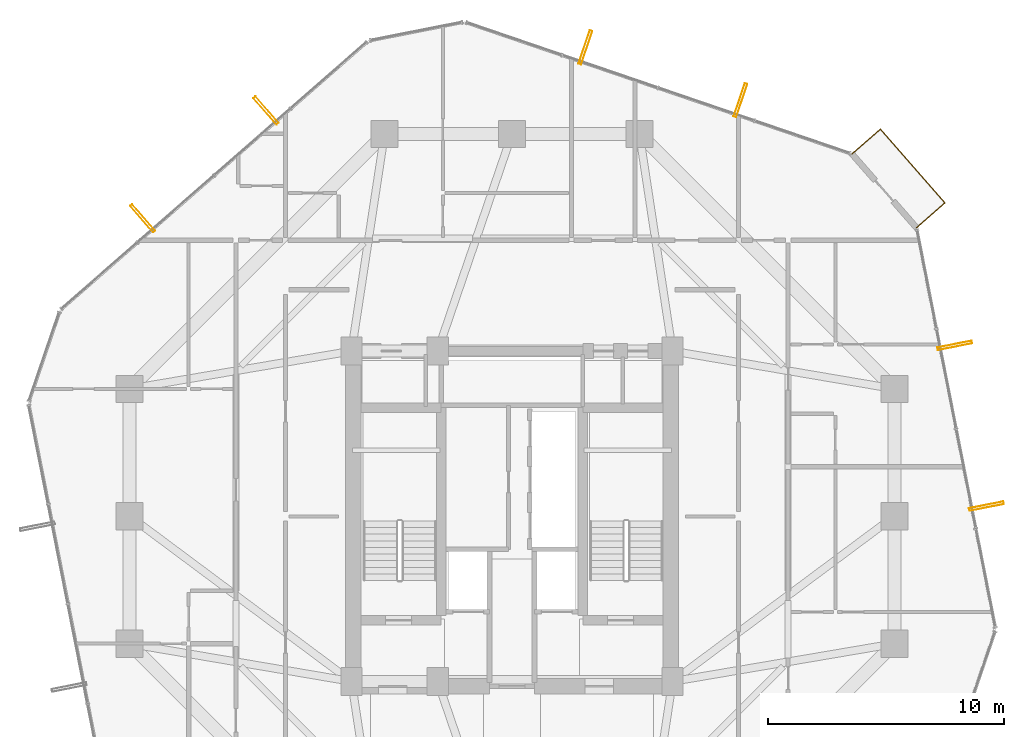
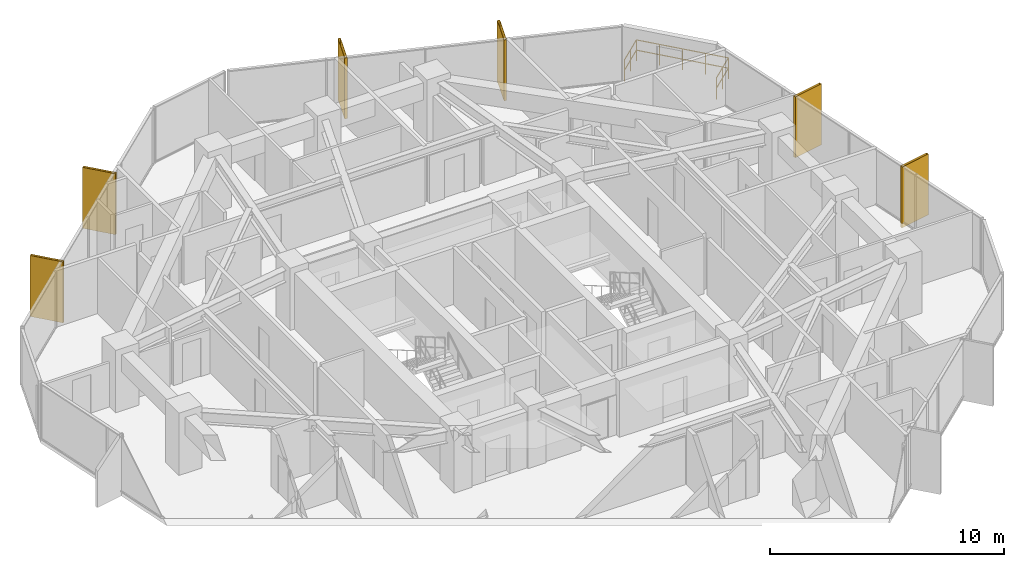
# One storey, part 36 of 36: 6 shading devices, 1 railing.
"""IFC4 building model written with IfcOpenShell, lengths in metres."""

from ifc_helpers import new_model, si_unit, direction, frame, origin, origin_2d, place, context, subcontext, project, spatial, hollow_rectangle, circle, extrude, material, material_profile, profile_set, type_object, element, save


model = new_model("IFC4")

# Units and contexts
model_context = context("Model", 3, precision=1e-05, world=origin(), true_north=direction((0.0, 1.0)))
body_context = subcontext(model_context, "Body", "Model", "MODEL_VIEW")
ifc_project = project(units=[si_unit("LENGTHUNIT", "METRE"), si_unit("AREAUNIT", "SQUARE_METRE"), si_unit("VOLUMEUNIT", "CUBIC_METRE"), si_unit("PLANEANGLEUNIT", "RADIAN"), si_unit("MASSUNIT", "GRAM", prefix="KILO")], contexts=[model_context])

# Site, building, storey
site_placement = place(None, origin())
site = spatial("IfcSite", under=ifc_project, at=site_placement, CompositionType="ELEMENT")
building_placement = place(site_placement, origin())
building = spatial("IfcBuilding", under=site, at=building_placement, Name="Veraguas Prism Commons", CompositionType="ELEMENT")
storey_placement = place(building_placement, frame((0.0, 0.0, 166.300048828125)))
storey = spatial("IfcBuildingStorey", under=building, at=storey_placement, Name="L47", CompositionType="ELEMENT", Elevation=166.300048828125)

# Shading devices
ifc_material_1 = material(Name="Anodised aluminium EN AW-6063 T6", Category="aluminium")
ifc_material_profile = material_profile(ifc_material_1, hollow_rectangle(XDim=0.1201171875, YDim=1.489990234375, WallThickness=0.006103515625, at=origin_2d()), Name="FIN120X1490X6")
ifc_profile_set = profile_set([ifc_material_profile], Name="Anodised aluminium EN AW-6063 T6")
shading_device_type = type_object("IfcShadingDeviceType", Name="Deep Pale-Metal Vertical Solar Fin 120x1490", PredefinedType="USERDEFINED", material=ifc_profile_set)
for number, where, z_axis, x_axis, name in (
    (1, (33.68115234375, 41.62548828125, -0.22998046875), (0.0, 0.0, 1.0), (-0.946424045543, 0.322926502501, 0.0), "Vertical Pale-Metal Solar Fin L47-F1A"),
    (2, (27.111328125, 43.8671875, -0.22998046875), (0.0, 0.0, 1.0), (-0.946424045543, 0.322926502501, 0.0), "Vertical Pale-Metal Solar Fin L47-F1B"),
    (3, (13.57666015625, 41.197021484375, -0.22998046875), (0.0, 0.0, 1.0), (-0.752873428778, -0.658165328956, 0.0), "Vertical Pale-Metal Solar Fin L47-F2A"),
    (4, (8.350341796875, 36.628173828125, -0.22998046875), (0.0, 0.0, 1.0), (-0.752873428778, -0.658165328956, 0.0), "Vertical Pale-Metal Solar Fin L47-F2B"),
    (5, (44.104736328125, 24.428466796875, -0.22998046875), (0.0, 0.0, 1.0), (-0.193546043398, 0.981091193052, 0.0), "Vertical Pale-Metal Solar Fin L47-F6A"),
    (6, (42.76123046875, 31.239013671875, -0.22998046875), (0.0, 0.0, 1.0), (-0.193546043398, 0.981091193052, 0.0), "Vertical Pale-Metal Solar Fin L47-F6B"),
):
    element("IfcShadingDevice", number, at=place(storey_placement, frame(where, z_axis=z_axis, x_axis=x_axis)), inside=storey, type_object=shading_device_type, Name=name, ObjectType="FIN", PredefinedType="USERDEFINED", context=body_context, shape_type="SweptSolid", body=[
        extrude(hollow_rectangle(XDim=0.1201171875, YDim=1.489990234375, WallThickness=0.006103515625, at=origin_2d()), origin(), (0.0, 0.0, 1.0), 3.179931640625),
    ])

# Railing
ifc_material_2 = material(Name="Stainless steel AISI 316", Category="steel")
railing_type = type_object("IfcRailingType", Name="Loggia and Sky Pool Glazed Balustrade 1120", PredefinedType="BALUSTRADE", material=ifc_material_2)
railing_placement = place(storey_placement, frame((41.140380859375, 36.225830078125, 0.0)))
element("IfcRailing", 7, at=railing_placement, inside=storey, type_object=railing_type, Name="Recessed Corner Loggia L47-C1 Guard", PredefinedType="BALUSTRADE", context=body_context, shape_type="SweptSolid", body=[
    extrude(circle(Radius=0.02392578125, at=origin_2d()), frame((0.0, 0.0, 1.09619140625), z_axis=(0.752822388227, 0.658223709528, 0.0), x_axis=(-0.658223709528, 0.752822388227, 0.0)), (0.0, 0.0, 1.0), 1.60009765625),
    extrude(circle(Radius=0.02392578125, at=origin_2d()), frame((0.0, 0.0, 0.56005859375), z_axis=(0.752822388227, 0.658223709528, 0.0), x_axis=(-0.658223709528, 0.752822388227, 0.0)), (0.0, 0.0, 1.0), 1.60009765625),
    extrude(circle(Radius=0.02392578125, at=origin_2d()), frame((1.20458984375, 1.05322265625, 1.09619140625), z_axis=(-0.658200751884, 0.752842460425, 0.0), x_axis=(-0.752842460425, -0.658200751884, 0.0)), (0.0, 0.0, 1.0), 4.1533203125),
    extrude(circle(Radius=0.02392578125, at=origin_2d()), frame((1.20458984375, 1.05322265625, 0.56005859375), z_axis=(-0.658200751884, 0.752842460425, 0.0), x_axis=(-0.752842460425, -0.658200751884, 0.0)), (0.0, 0.0, 1.0), 4.1533203125),
    extrude(circle(Radius=0.02392578125, at=origin_2d()), frame((-1.529052734375, 4.179931640625, 1.09619140625), z_axis=(-0.752822388227, -0.658223709528, 0.0), x_axis=(0.658223709528, -0.752822388227, 0.0)), (0.0, 0.0, 1.0), 1.60009765625),
    extrude(circle(Radius=0.02392578125, at=origin_2d()), frame((-1.529052734375, 4.179931640625, 0.56005859375), z_axis=(-0.752822388227, -0.658223709528, 0.0), x_axis=(0.658223709528, -0.752822388227, 0.0)), (0.0, 0.0, 1.0), 1.60009765625),
    extrude(circle(Radius=0.02099609375, at=origin_2d()), origin(), (0.0, 0.0, 1.0), 1.072021484375),
    extrude(circle(Radius=0.02099609375, at=origin_2d()), frame((0.602294921875, 0.526611328125, 0.0)), (0.0, 0.0, 1.0), 1.072021484375),
    extrude(circle(Radius=0.02099609375, at=origin_2d()), frame((1.20458984375, 1.05322265625, 0.0)), (0.0, 0.0, 1.0), 1.072021484375),
    extrude(circle(Radius=0.02099609375, at=origin_2d()), frame((0.521240234375, 1.8349609375, 0.0)), (0.0, 0.0, 1.0), 1.072021484375),
    extrude(circle(Radius=0.02099609375, at=origin_2d()), frame((-0.162109375, 2.61669921875, 0.0)), (0.0, 0.0, 1.0), 1.072021484375),
    extrude(circle(Radius=0.02099609375, at=origin_2d()), frame((-0.845703125, 3.398193359375, 0.0)), (0.0, 0.0, 1.0), 1.072021484375),
    extrude(circle(Radius=0.02099609375, at=origin_2d()), frame((-1.529052734375, 4.179931640625, 0.0)), (0.0, 0.0, 1.0), 1.072021484375),
    extrude(circle(Radius=0.02099609375, at=origin_2d()), frame((-2.13134765625, 3.6533203125, 0.0)), (0.0, 0.0, 1.0), 1.072021484375),
    extrude(circle(Radius=0.02099609375, at=origin_2d()), frame((-2.733642578125, 3.126708984375, 0.0)), (0.0, 0.0, 1.0), 1.072021484375),
])

save(model, "model.ifc")
